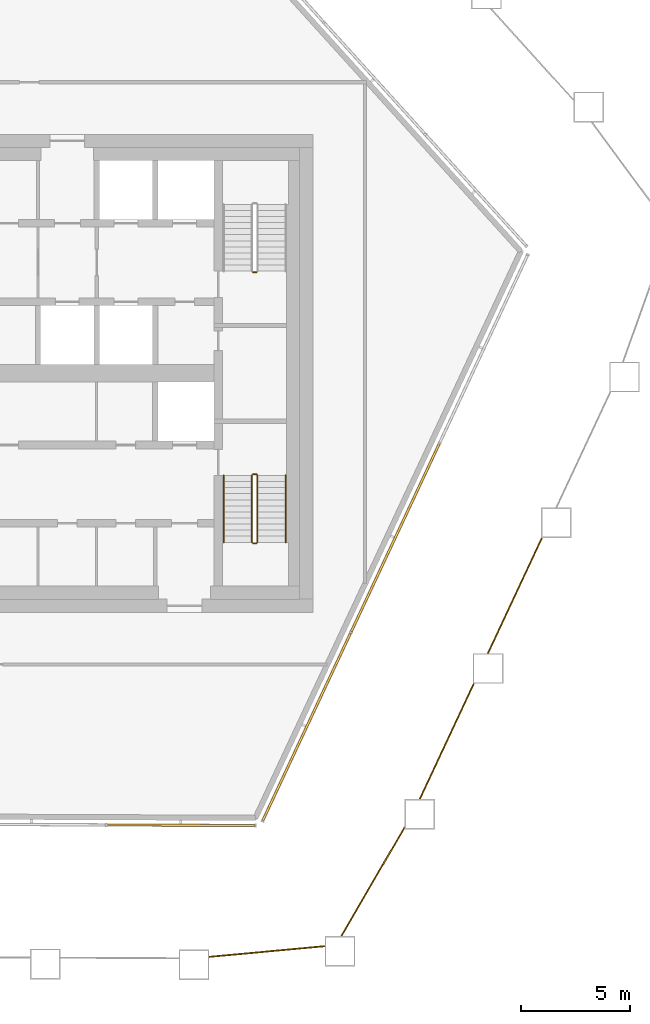
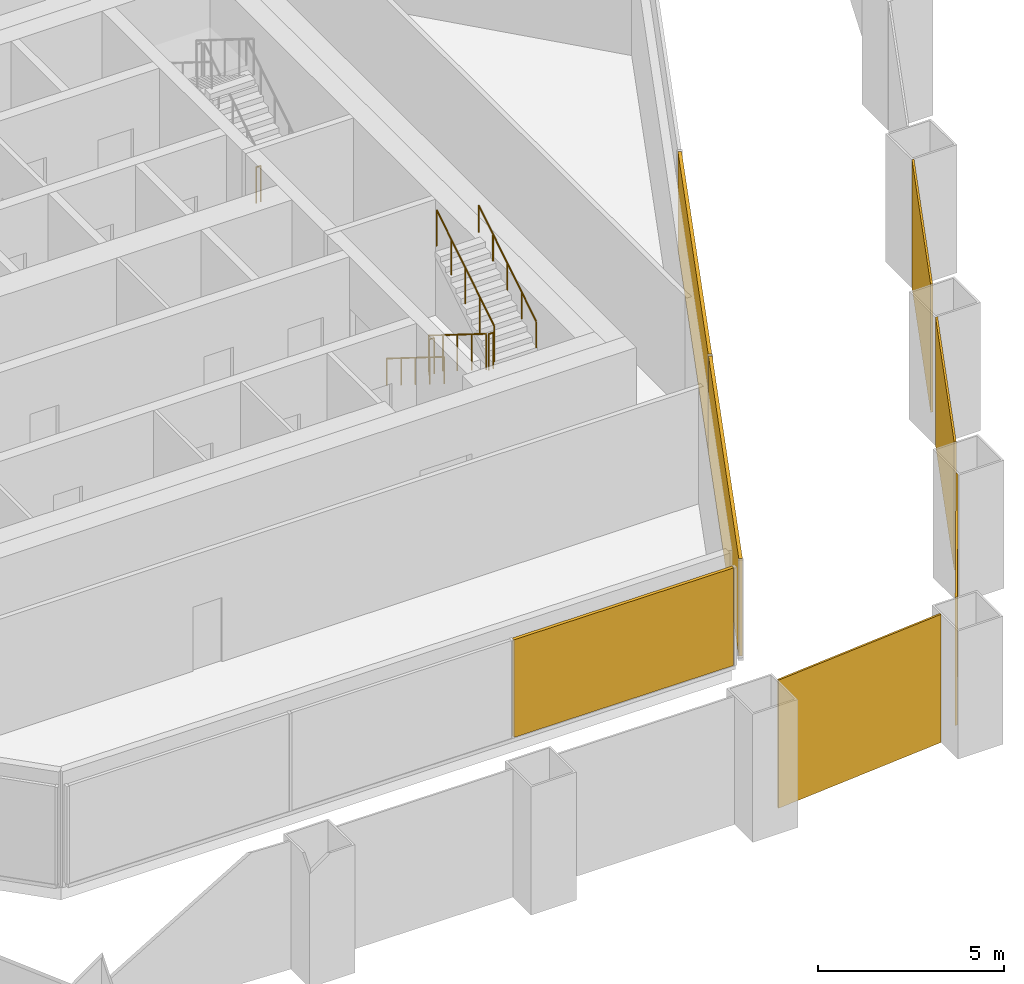
# One storey, part 14 of 18: 7 coverings, 7 railings, 2 elements without a shape of their own.
"""IFC4 building model written with IfcOpenShell, lengths in metres."""

from ifc_helpers import new_model, si_unit, direction, frame, origin, origin_2d, place, context, subcontext, project, spatial, polyline, rectangle, circle, outline, extrude, material, layer, layer_set, type_object, element, aggregate, save


model = new_model("IFC4")

# Units and contexts
model_context = context("Model", 3, precision=1e-05, world=origin(), true_north=direction((0.0, 1.0)))
body_context = subcontext(model_context, "Body", "Model", "MODEL_VIEW")
ifc_project = project(units=[si_unit("LENGTHUNIT", "METRE"), si_unit("AREAUNIT", "SQUARE_METRE"), si_unit("VOLUMEUNIT", "CUBIC_METRE"), si_unit("PLANEANGLEUNIT", "RADIAN"), si_unit("MASSUNIT", "GRAM", prefix="KILO")], contexts=[model_context])

# Site, building, storey
site_placement = place(None, origin())
site = spatial("IfcSite", under=ifc_project, at=site_placement, CompositionType="ELEMENT")
building_placement = place(site_placement, origin())
building = spatial("IfcBuilding", under=site, at=building_placement, Name="Dongbaek Canopy Tower", CompositionType="ELEMENT")
storey_placement = place(building_placement, frame((0.0, 0.0, 363.199951171875)))
storey = spatial("IfcBuildingStorey", under=building, at=storey_placement, Name="L78", CompositionType="ELEMENT", Elevation=363.199951171875)

# Coverings
ifc_material_1 = material(Name="Perforated pale metal")
ifc_layer_1 = layer(ifc_material_1, 0.06005859375)
ifc_layer_set_1 = layer_set([ifc_layer_1], Name="Crown plant screen")
covering_type_1 = type_object("IfcCoveringType", Name="Crown plant screen", PredefinedType="CLADDING", material=ifc_layer_set_1)
covering_1_placement = place(storey_placement, origin())
element("IfcCovering", 1, at=covering_1_placement, inside=storey, type_object=covering_type_1, Name="Crown plant screen 8 L78", PredefinedType="CLADDING", context=body_context, shape_type="SweptSolid", body=[
    extrude(outline(polyline([(9.23388671875, -26.891357421875), (9.23388671875, -26.8310546875), (14.552001953125, -26.340087890625), (14.552001953125, -26.400390625), (9.23388671875, -26.891357421875)])), origin(), (0.0, 0.0, 1.0), 4.199951171875),
])
covering_2_placement = place(storey_placement, origin())
element("IfcCovering", 2, at=covering_2_placement, inside=storey, type_object=covering_type_1, Name="Crown plant screen 9 L78", PredefinedType="CLADDING", context=body_context, shape_type="SweptSolid", body=[
    extrude(outline(polyline([(15.346923828125, -25.906982421875), (15.277587890625, -25.906982421875), (18.22509765625, -20.8427734375), (18.22509765625, -20.9619140625), (15.346923828125, -25.906982421875)])), origin(), (0.0, 0.0, 1.0), 4.199951171875),
])
covering_3_placement = place(storey_placement, origin())
element("IfcCovering", 3, at=covering_3_placement, inside=storey, type_object=covering_type_1, Name="Crown plant screen 10 L78", PredefinedType="CLADDING", context=body_context, shape_type="SweptSolid", body=[
    extrude(outline(polyline([(18.954833984375, -19.595947265625), (18.888671875, -19.595947265625), (21.37548828125, -14.2880859375), (21.44189453125, -14.2880859375), (18.954833984375, -19.595947265625)])), origin(), (0.0, 0.0, 1.0), 4.199951171875),
])
covering_4_placement = place(storey_placement, origin())
element("IfcCovering", 4, at=covering_4_placement, inside=storey, type_object=covering_type_1, Name="Crown plant screen 11 L78", PredefinedType="CLADDING", context=body_context, shape_type="SweptSolid", body=[
    extrude(outline(polyline([(22.09765625, -12.887939453125), (22.031494140625, -12.887939453125), (24.517822265625, -7.5791015625), (24.583984375, -7.5791015625), (22.09765625, -12.887939453125)])), origin(), (0.0, 0.0, 1.0), 4.199951171875),
])

# Curtain wall, covering
ifc_material_2 = material(Name="Aluminium 6063-T6 pale anodised", Category="aluminium")
ifc_layer_2 = layer(ifc_material_2, 0.14990234375)
ifc_layer_set_2 = layer_set([ifc_layer_2], Name="CW-7 louvre curtain wall")
curtain_wall_type = type_object("IfcCurtainWallType", Name="CW-7 louvre curtain wall", PredefinedType="NOTDEFINED", material=ifc_layer_set_2)
curtain_wall_1_placement = place(storey_placement, origin())
curtain_wall_1 = element("IfcCurtainWall", 5, at=curtain_wall_1_placement, inside=storey, type_object=curtain_wall_type, Name="CW-7 louvre wall L78 F0", PredefinedType="NOTDEFINED")
ifc_material_3 = material(Name="Aluminium 6063-T6 pale metal louvre blades", Category="aluminium")
ifc_layer_3 = layer(ifc_material_3, 0.10009765625)
ifc_layer_set_3 = layer_set([ifc_layer_3], Name="Louvre LV bank 100 x 3200")
covering_type_2 = type_object("IfcCoveringType", Name="Louvre LV bank 100 x 3200", PredefinedType="CLADDING", material=ifc_layer_set_3)
covering_5_placement = place(storey_placement, frame((7.927001953125, -20.803466796875, 0.30029296875), z_axis=(0.0, 0.0, 1.0), x_axis=(0.999990026762, -0.004466136555, 0.0)))
covering_5 = element("IfcCovering", 6, at=covering_5_placement, type_object=covering_type_2, Name="Louvre L78 F0.1.3", PredefinedType="CLADDING", context=body_context, shape_type="SweptSolid", body=[
    extrude(rectangle(XDim=6.787841796875, YDim=0.10009765625, at=origin_2d()), origin(), (0.0, 0.0, 1.0), 3.199951171875),
])
aggregate(curtain_wall_1, [covering_5])

# Curtain wall, coverings
curtain_wall_2_placement = place(storey_placement, origin())
curtain_wall_2 = element("IfcCurtainWall", 7, at=curtain_wall_2_placement, inside=storey, type_object=curtain_wall_type, Name="CW-7 louvre wall L78 F1", PredefinedType="NOTDEFINED")
covering_6_placement = place(storey_placement, frame((13.72021484375, -16.27001953125, 0.30029296875), z_axis=(0.0, 0.0, 1.0), x_axis=(0.42412286138, 0.905604659029, 0.0)))
covering_6 = element("IfcCovering", 8, at=covering_6_placement, type_object=covering_type_2, Name="Louvre L78 F1.1.1", PredefinedType="CLADDING", context=body_context, shape_type="SweptSolid", body=[
    extrude(rectangle(XDim=9.510498046875, YDim=0.10009765625, at=origin_2d()), origin(), (0.0, 0.0, 1.0), 3.199951171875),
])
covering_7_placement = place(storey_placement, frame((17.7919921875, -7.575927734375, 0.30029296875), z_axis=(0.0, 0.0, 1.0), x_axis=(0.42412286138, 0.905604659029, 0.0)))
covering_7 = element("IfcCovering", 9, at=covering_7_placement, type_object=covering_type_2, Name="Louvre L78 F1.1.2", PredefinedType="CLADDING", context=body_context, shape_type="SweptSolid", body=[
    extrude(rectangle(XDim=9.510498046875, YDim=0.10009765625, at=origin_2d()), origin(), (0.0, 0.0, 1.0), 3.199951171875),
])
aggregate(curtain_wall_2, [covering_6, covering_7])

# Railings
ifc_material_4 = material(Name="Stainless steel tube and balusters", Category="steel")
railing_type_1 = type_object("IfcRailingType", Name="Stair guard 1200", PredefinedType="GUARDRAIL", material=ifc_material_4)
railing_1_placement = place(storey_placement, frame((11.39990234375, 4.64990234375, 0.0)))
element("IfcRailing", 10, at=railing_1_placement, inside=storey, type_object=railing_type_1, Name="L78 ST-A stair guard 4", PredefinedType="GUARDRAIL", context=body_context, shape_type="SweptSolid", body=[
    extrude(circle(Radius=0.02392578125, at=origin_2d()), frame((0.0, 0.0, 1.17578125), z_axis=(-1.0, 0.0, 0.0), x_axis=(0.0, -1.0, 0.0)), (0.0, 0.0, 1.0), 0.14990234375),
    extrude(circle(Radius=0.02099609375, at=origin_2d()), origin(), (0.0, 0.0, 1.0), 1.15185546875),
    extrude(circle(Radius=0.02099609375, at=origin_2d()), frame((-0.14990234375, 0.0, 0.0)), (0.0, 0.0, 1.0), 1.15185546875),
])
railing_2_placement = place(storey_placement, frame((11.199951171875, -4.699951171875, 0.175048828125)))
element("IfcRailing", 11, at=railing_2_placement, inside=storey, type_object=railing_type_1, Name="L78 ST-B stair guard 1", PredefinedType="GUARDRAIL", context=body_context, shape_type="SweptSolid", body=[
    extrude(circle(Radius=0.02392578125, at=origin_2d()), frame((0.0, 0.0, 1.17578125), z_axis=(0.0, -0.847998304005, 0.529998940003), x_axis=(1.0, 0.0, 0.0)), (0.0, 0.0, 1.0), 3.632080078125),
    extrude(circle(Radius=0.02099609375, at=origin_2d()), origin(), (0.0, 0.0, 1.0), 1.15185546875),
    extrude(circle(Radius=0.02099609375, at=origin_2d()), frame((0.0, -0.77001953125, 0.481201171875)), (0.0, 0.0, 1.0), 1.15185546875),
    extrude(circle(Radius=0.02099609375, at=origin_2d()), frame((0.0, -1.5400390625, 0.96240234375)), (0.0, 0.0, 1.0), 1.15185546875),
    extrude(circle(Radius=0.02099609375, at=origin_2d()), frame((0.0, -2.31005859375, 1.44384765625)), (0.0, 0.0, 1.0), 1.15185546875),
    extrude(circle(Radius=0.02099609375, at=origin_2d()), frame((0.0, -3.080078125, 1.925048828125)), (0.0, 0.0, 1.0), 1.15185546875),
])
railing_3_placement = place(storey_placement, frame((11.25, -7.830078125, 2.10009765625)))
element("IfcRailing", 12, at=railing_3_placement, inside=storey, type_object=railing_type_1, Name="L78 ST-B stair guard 2", PredefinedType="GUARDRAIL", context=body_context, shape_type="SweptSolid", body=[
    extrude(circle(Radius=0.02392578125, at=origin_2d()), frame((0.0, 0.0, 1.17578125), z_axis=(1.0, 0.0, 0.0), x_axis=(0.0, 1.0, 0.0)), (0.0, 0.0, 1.0), 0.14990234375),
    extrude(circle(Radius=0.02099609375, at=origin_2d()), origin(), (0.0, 0.0, 1.0), 1.15185546875),
    extrude(circle(Radius=0.02099609375, at=origin_2d()), frame((0.14990234375, 0.0, 0.0)), (0.0, 0.0, 1.0), 1.15185546875),
])
railing_4_placement = place(storey_placement, frame((11.449951171875, -7.780029296875, 2.275146484375)))
element("IfcRailing", 13, at=railing_4_placement, inside=storey, type_object=railing_type_1, Name="L78 ST-B stair guard 3", PredefinedType="GUARDRAIL", context=body_context, shape_type="SweptSolid", body=[
    extrude(circle(Radius=0.02392578125, at=origin_2d()), frame((0.0, 0.0, 1.17578125), z_axis=(0.0, 0.848028513186, 0.529950602248), x_axis=(-1.0, 0.0, 0.0)), (0.0, 0.0, 1.0), 3.632080078125),
    extrude(circle(Radius=0.02099609375, at=origin_2d()), origin(), (0.0, 0.0, 1.0), 1.15185546875),
    extrude(circle(Radius=0.02099609375, at=origin_2d()), frame((0.0, 0.77001953125, 0.481201171875)), (0.0, 0.0, 1.0), 1.15185546875),
    extrude(circle(Radius=0.02099609375, at=origin_2d()), frame((0.0, 1.5400390625, 0.96240234375)), (0.0, 0.0, 1.0), 1.15185546875),
    extrude(circle(Radius=0.02099609375, at=origin_2d()), frame((0.0, 2.31005859375, 1.443603515625)), (0.0, 0.0, 1.0), 1.15185546875),
    extrude(circle(Radius=0.02099609375, at=origin_2d()), frame((0.0, 3.080078125, 1.9248046875)), (0.0, 0.0, 1.0), 1.15185546875),
])
railing_5_placement = place(storey_placement, frame((11.25, -4.64990234375, 0.0)))
element("IfcRailing", 14, at=railing_5_placement, inside=storey, type_object=railing_type_1, Name="L78 ST-B stair guard 4", PredefinedType="GUARDRAIL", context=body_context, shape_type="SweptSolid", body=[
    extrude(circle(Radius=0.02392578125, at=origin_2d()), frame((0.0, 0.0, 1.17578125), z_axis=(1.0, 0.0, 0.0), x_axis=(0.0, 1.0, 0.0)), (0.0, 0.0, 1.0), 0.14990234375),
    extrude(circle(Radius=0.02099609375, at=origin_2d()), origin(), (0.0, 0.0, 1.0), 1.15185546875),
    extrude(circle(Radius=0.02099609375, at=origin_2d()), frame((0.14990234375, 0.0, 0.0)), (0.0, 0.0, 1.0), 1.15185546875),
])
ifc_material_5 = material(Name="Stainless steel tube", Category="steel")
railing_type_2 = type_object("IfcRailingType", Name="Stair handrail 900", PredefinedType="HANDRAIL", material=ifc_material_5)
railing_6_placement = place(storey_placement, frame((9.89990234375, -4.699951171875, 0.175048828125)))
element("IfcRailing", 15, at=railing_6_placement, inside=storey, type_object=railing_type_2, Name="L78 ST-B stair handrail 1", PredefinedType="HANDRAIL", context=body_context, shape_type="SweptSolid", body=[
    extrude(circle(Radius=0.02392578125, at=origin_2d()), frame((0.0, 0.0, 0.8759765625), z_axis=(0.0, -0.847998304005, 0.529998940003), x_axis=(1.0, 0.0, 0.0)), (0.0, 0.0, 1.0), 3.632080078125),
    extrude(circle(Radius=0.02099609375, at=origin_2d()), origin(), (0.0, 0.0, 1.0), 0.851806640625),
    extrude(circle(Radius=0.02099609375, at=origin_2d()), frame((0.0, -0.77001953125, 0.481201171875)), (0.0, 0.0, 1.0), 0.851806640625),
    extrude(circle(Radius=0.02099609375, at=origin_2d()), frame((0.0, -1.5400390625, 0.96240234375)), (0.0, 0.0, 1.0), 0.851806640625),
    extrude(circle(Radius=0.02099609375, at=origin_2d()), frame((0.0, -2.31005859375, 1.44384765625)), (0.0, 0.0, 1.0), 0.851806640625),
    extrude(circle(Radius=0.02099609375, at=origin_2d()), frame((0.0, -3.080078125, 1.925048828125)), (0.0, 0.0, 1.0), 0.851806640625),
])
railing_7_placement = place(storey_placement, frame((12.75, -7.780029296875, 2.275146484375)))
element("IfcRailing", 16, at=railing_7_placement, inside=storey, type_object=railing_type_2, Name="L78 ST-B stair handrail 2", PredefinedType="HANDRAIL", context=body_context, shape_type="SweptSolid", body=[
    extrude(circle(Radius=0.02392578125, at=origin_2d()), frame((0.0, 0.0, 0.8759765625), z_axis=(0.0, 0.848028513186, 0.529950602248), x_axis=(-1.0, 0.0, 0.0)), (0.0, 0.0, 1.0), 3.632080078125),
    extrude(circle(Radius=0.02099609375, at=origin_2d()), origin(), (0.0, 0.0, 1.0), 0.851806640625),
    extrude(circle(Radius=0.02099609375, at=origin_2d()), frame((0.0, 0.77001953125, 0.481201171875)), (0.0, 0.0, 1.0), 0.851806640625),
    extrude(circle(Radius=0.02099609375, at=origin_2d()), frame((0.0, 1.5400390625, 0.96240234375)), (0.0, 0.0, 1.0), 0.851806640625),
    extrude(circle(Radius=0.02099609375, at=origin_2d()), frame((0.0, 2.31005859375, 1.443603515625)), (0.0, 0.0, 1.0), 0.851806640625),
    extrude(circle(Radius=0.02099609375, at=origin_2d()), frame((0.0, 3.080078125, 1.9248046875)), (0.0, 0.0, 1.0), 0.851806640625),
])

save(model, "model.ifc")
